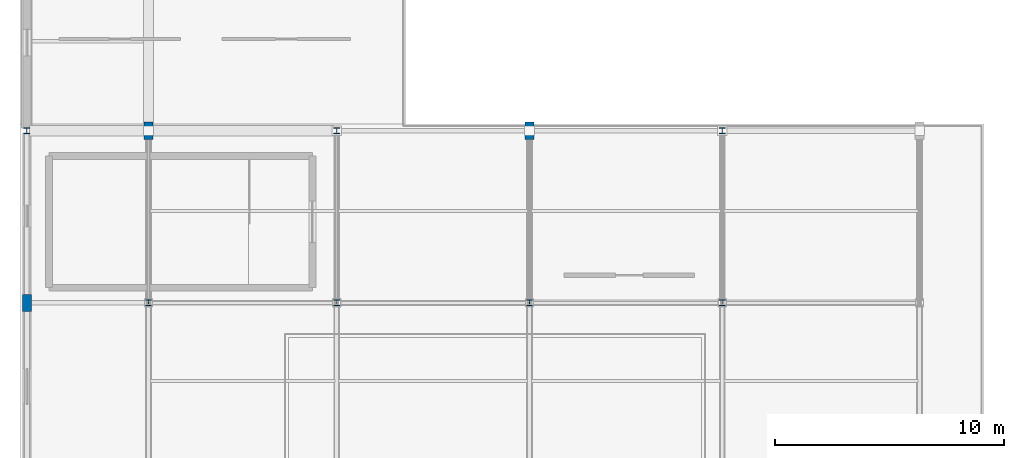
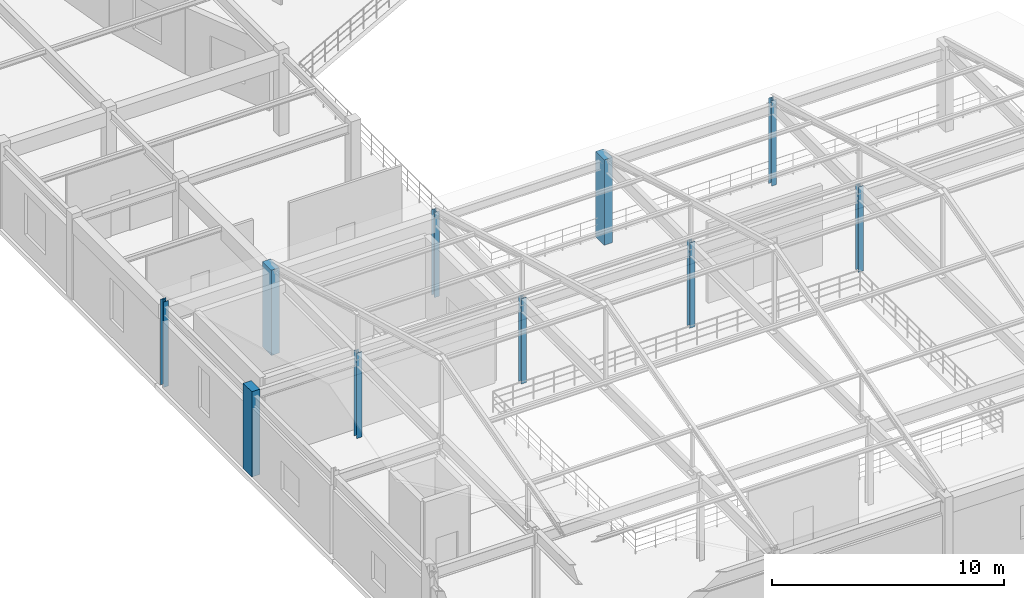
# One storey, part 3 of 112: 10 columns.
"""IFC4 building model written with IfcOpenShell, lengths in metres."""

from ifc_helpers import new_model, si_unit, direction, frame, origin, origin_2d, place, context, subcontext, project, spatial, rectangle, i_section, extrude, material, material_profile, profile_set, type_object, element, save


model = new_model("IFC4")

# Units and contexts
model_context = context("Model", 3, precision=1e-05, world=origin(), true_north=direction((0.0, 1.0)))
body_context = subcontext(model_context, "Body", "Model", "MODEL_VIEW")
ifc_project = project(units=[si_unit("LENGTHUNIT", "METRE"), si_unit("AREAUNIT", "SQUARE_METRE"), si_unit("VOLUMEUNIT", "CUBIC_METRE"), si_unit("PLANEANGLEUNIT", "RADIAN"), si_unit("MASSUNIT", "GRAM", prefix="KILO")], contexts=[model_context])

# Site, building, storey
site_placement = place(None, origin())
site = spatial("IfcSite", under=ifc_project, at=site_placement, CompositionType="ELEMENT")
building_placement = place(site_placement, origin())
building = spatial("IfcBuilding", under=site, at=building_placement, Name="Cinderbank Siding Concert Hall", CompositionType="ELEMENT")
storey_placement = place(building_placement, frame((0.0, 0.0, 10.199951171875)))
storey = spatial("IfcBuildingStorey", under=building, at=storey_placement, Name="L03", CompositionType="ELEMENT", Elevation=10.199951171875)

# Columns
ifc_material_1 = material(Name="Structural steel AS/NZS 3679.1 Grade 350 (340 MPa)", Category="steel")
ifc_material_profile_1 = material_profile(ifc_material_1, i_section(OverallWidth=0.25390625, OverallDepth=0.25390625, WebThickness=0.008544921875, FlangeThickness=0.01416015625, at=origin_2d()), Name="250UC72.9", Category="LoadBearing")
ifc_profile_set_1 = profile_set([ifc_material_profile_1], Name="Structural steel AS/NZS 3679.1 Grade 350 (340 MPa)")
column_type_1 = type_object("IfcColumnType", Name="C-UC250 250UC72.9", PredefinedType="COLUMN", material=ifc_profile_set_1)
for number, where, z_axis, x_axis, name in (
    (1, (7.10009765625, 35.5, 0.0), (0.0, 0.0, 1.0), (1.0, 0.0, 0.0), "L03 Column COL-V2-1-5"),
    (2, (12.39990234375, 28.0, 0.0), (0.0, 0.0, 1.0), (1.0, 0.0, 0.0), "L03 Column COL-V2-2-4"),
    (3, (20.60009765625, 28.0, 0.0), (0.0, 0.0, 1.0), (1.0, 0.0, 0.0), "L03 Column COL-V2-3-4"),
    (4, (20.60009765625, 35.5, 0.0), (0.0, 0.0, 1.0), (1.0, 0.0, 0.0), "L03 Column COL-V2-3-5"),
    (5, (29.0, 28.0, 0.0), (0.0, 0.0, 1.0), (1.0, 0.0, 0.0), "L03 Column COL-V2-4-4"),
    (6, (37.39990234375, 28.0, 0.0), (0.0, 0.0, 1.0), (1.0, 0.0, 0.0), "L03 Column COL-V2-5-4"),
    (7, (37.39990234375, 35.5, 0.0), (0.0, 0.0, 1.0), (1.0, 0.0, 0.0), "L03 Column COL-V2-5-5"),
):
    element("IfcColumn", number, at=place(storey_placement, frame(where, z_axis=z_axis, x_axis=x_axis)), inside=storey, type_object=column_type_1, Name=name, PredefinedType="COLUMN", context=body_context, shape_type="SweptSolid", body=[
        extrude(i_section(OverallWidth=0.25390625, OverallDepth=0.25390625, WebThickness=0.008544921875, FlangeThickness=0.01416015625, at=origin_2d()), origin(), (0.0, 0.0, 1.0), 4.5),
    ])
ifc_material_2 = material(Name="Reinforced concrete AS 3600 N50 (50 MPa)", Category="concrete")
ifc_material_profile_2 = material_profile(ifc_material_2, rectangle(XDim=0.39990234375, YDim=0.75, at=origin_2d()), Name="RC-PIER-400x750", Category="LoadBearing")
ifc_profile_set_2 = profile_set([ifc_material_profile_2], Name="Reinforced concrete AS 3600 N50 (50 MPa)")
column_type_2 = type_object("IfcColumnType", Name="PL-RC750 RC-PIER-400x750", PredefinedType="PILASTER", material=ifc_profile_set_2)
for number, where, z_axis, x_axis, name in (
    (8, (7.10009765625, 28.0, 0.0), (0.0, 0.0, 1.0), (1.0, 0.0, 0.0), "L03 Column COL-V2-1-4"),
    (9, (12.39990234375, 35.5, 0.0), (0.0, 0.0, 1.0), (1.0, 0.0, 0.0), "L03 Column COL-V2-2-5"),
    (10, (29.0, 35.5, 0.0), (0.0, 0.0, 1.0), (1.0, 0.0, 0.0), "L03 Column COL-V2-4-5"),
):
    element("IfcColumn", number, at=place(storey_placement, frame(where, z_axis=z_axis, x_axis=x_axis)), inside=storey, type_object=column_type_2, Name=name, PredefinedType="PILASTER", context=body_context, shape_type="SweptSolid", body=[
        extrude(rectangle(XDim=0.39990234375, YDim=0.75, at=origin_2d()), origin(), (0.0, 0.0, 1.0), 4.5),
    ])

save(model, "model.ifc")
